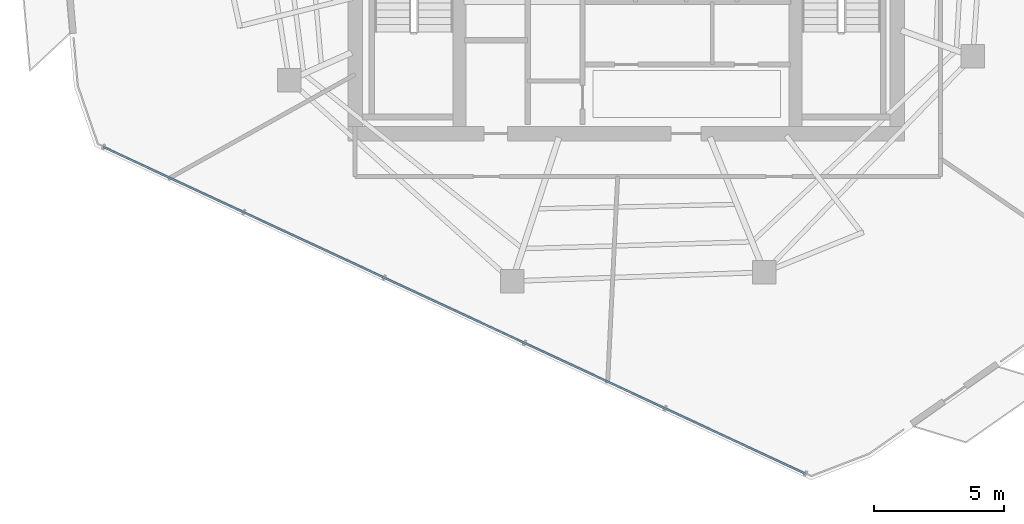
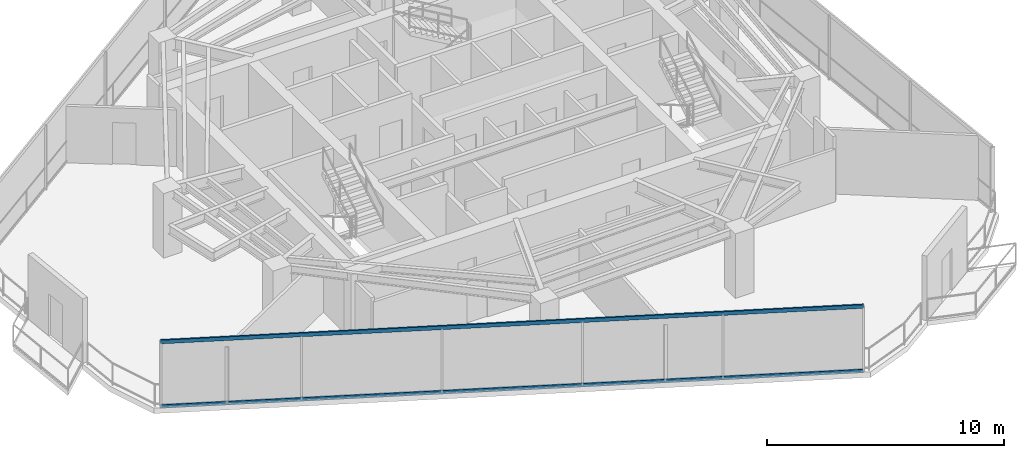
# One storey, part 3 of 20: 2 members, 1 element without a shape of its own.
"""IFC4 building model written with IfcOpenShell, lengths in metres."""

from ifc_helpers import new_model, si_unit, direction, frame, origin, origin_2d, place, context, subcontext, project, spatial, hollow_rectangle, extrude, material, layer, layer_set, material_profile, profile_set, type_object, element, aggregate, save


model = new_model("IFC4")

# Units and contexts
model_context = context("Model", 3, precision=1e-05, world=origin(), true_north=direction((0.0, 1.0)))
body_context = subcontext(model_context, "Body", "Model", "MODEL_VIEW")
ifc_project = project(units=[si_unit("LENGTHUNIT", "METRE"), si_unit("AREAUNIT", "SQUARE_METRE"), si_unit("VOLUMEUNIT", "CUBIC_METRE"), si_unit("PLANEANGLEUNIT", "RADIAN"), si_unit("MASSUNIT", "GRAM", prefix="KILO")], contexts=[model_context])

# Site, building, storey
site_placement = place(None, origin())
site = spatial("IfcSite", under=ifc_project, at=site_placement, CompositionType="ELEMENT")
building_placement = place(site_placement, origin())
building = spatial("IfcBuilding", under=site, at=building_placement, Name="Qarnah Convention Tower", CompositionType="ELEMENT")
storey_placement = place(building_placement, frame((0.0, 0.0, 198.60009765625)))
storey = spatial("IfcBuildingStorey", under=building, at=storey_placement, Name="L53", CompositionType="ELEMENT", Elevation=198.60009765625)

# Curtain wall, members
ifc_material_1 = material(Name="Tempered Low-E dark glass", Category="glass")
ifc_layer = layer(ifc_material_1, 0.174072265625)
ifc_layer_set = layer_set([ifc_layer], Name="Tempered Low-E dark glass")
curtain_wall_type = type_object("IfcCurtainWallType", Name="CWS-04", PredefinedType="NOTDEFINED", material=ifc_layer_set)
curtain_wall_placement = place(storey_placement, origin())
curtain_wall = element("IfcCurtainWall", 1, at=curtain_wall_placement, inside=storey, type_object=curtain_wall_type, Name="L53 unitised curtain wall CW-L53-F2", PredefinedType="NOTDEFINED")
ifc_material_2 = material(Name="Black anodised aluminium", Category="aluminium")
ifc_material_profile = material_profile(ifc_material_2, hollow_rectangle(XDim=0.074951171875, YDim=0.18994140625, WallThickness=0.0048828125, at=origin_2d()), Name="TRN-75X190")
ifc_profile_set = profile_set([ifc_material_profile], Name="Black anodised aluminium")
member_type = type_object("IfcMemberType", Name="TRN-T4", PredefinedType="USERDEFINED", material=ifc_profile_set)
member_1_placement = place(storey_placement, frame((44.072998046875, 5.550048828125, 0.0), z_axis=(-0.906606402689, 0.421977286833, 0.0), x_axis=(-0.421977286833, -0.906606402689, 0.0)))
member_1 = element("IfcMember", 2, at=member_1_placement, type_object=member_type, Name="CW-L53-F2 transom 1", ObjectType="TRANSOM", PredefinedType="USERDEFINED", context=body_context, shape_type="SweptSolid", body=[
    extrude(hollow_rectangle(XDim=0.074951171875, YDim=0.18994140625, WallThickness=0.0048828125, at=origin_2d()), origin(), (0.0, 0.0, 1.0), 29.705078125),
])
member_2_placement = place(storey_placement, frame((44.072998046875, 5.550048828125, 3.31982421875), z_axis=(-0.906606402689, 0.421977286833, 0.0), x_axis=(-0.421977286833, -0.906606402689, 0.0)))
member_2 = element("IfcMember", 3, at=member_2_placement, type_object=member_type, Name="CW-L53-F2 transom 2", ObjectType="TRANSOM", PredefinedType="USERDEFINED", context=body_context, shape_type="SweptSolid", body=[
    extrude(hollow_rectangle(XDim=0.074951171875, YDim=0.18994140625, WallThickness=0.0048828125, at=origin_2d()), origin(), (0.0, 0.0, 1.0), 29.705078125),
])
aggregate(curtain_wall, [member_1, member_2])

save(model, "model.ifc")
